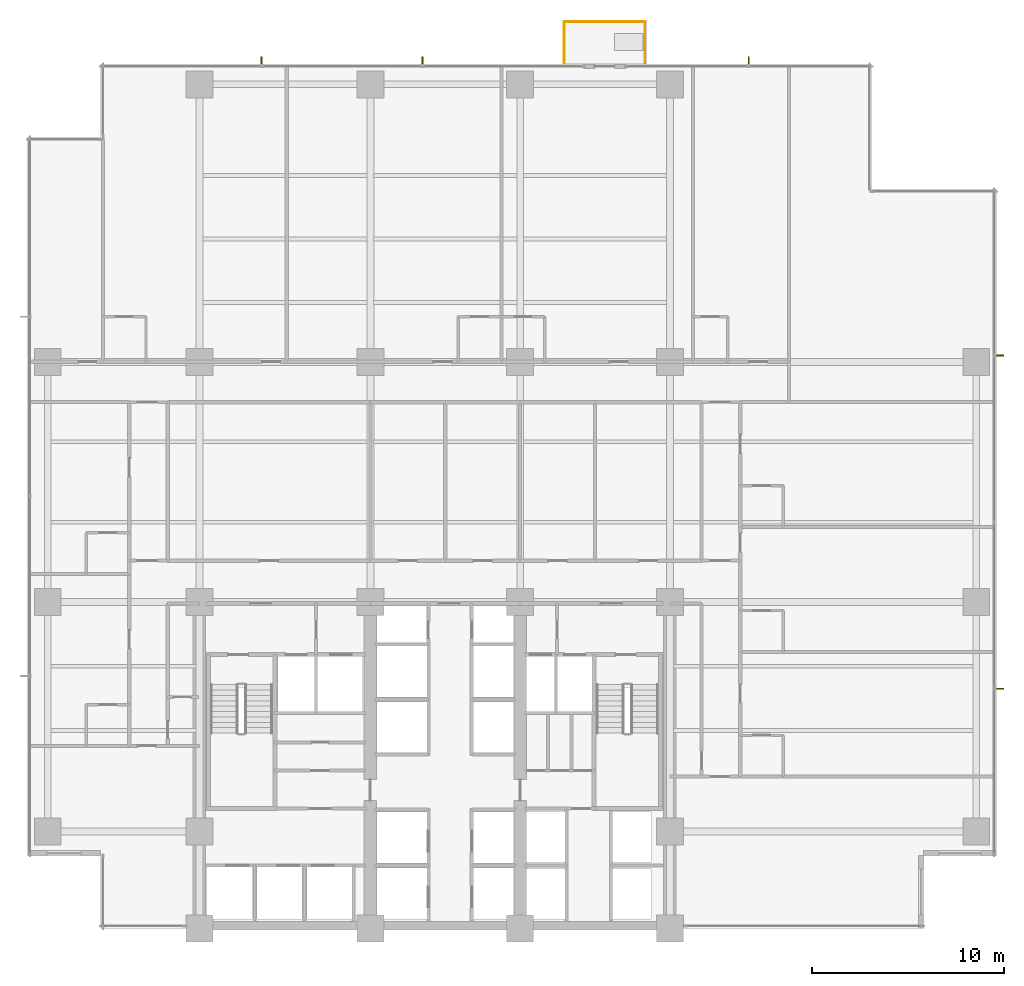
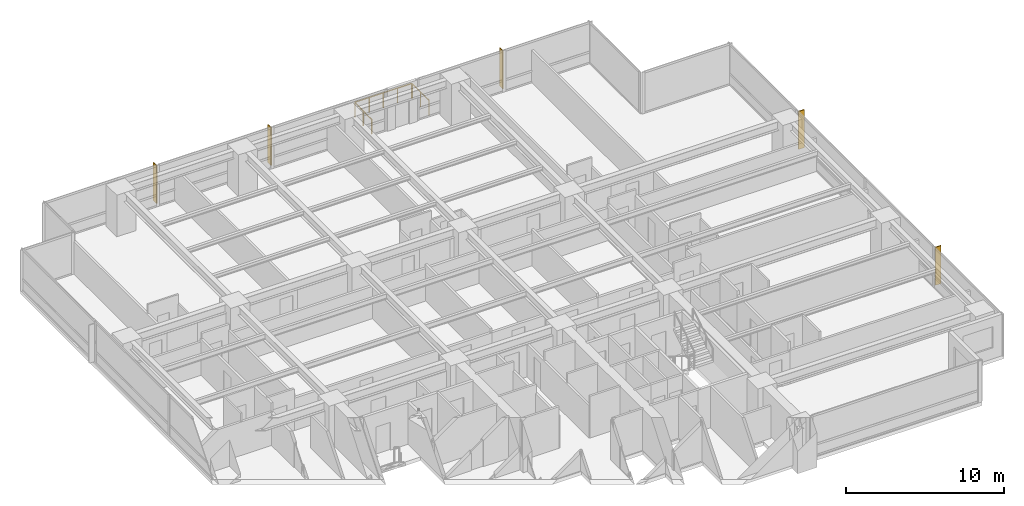
# One storey, part 16 of 16: 5 shading devices, 3 railings.
"""IFC4 building model written with IfcOpenShell, lengths in metres."""

from ifc_helpers import new_model, si_unit, direction, frame, origin, origin_2d, place, context, subcontext, project, spatial, polyline, circle, outline, extrude, material, layer, layer_set, type_object, element, save


model = new_model("IFC4")

# Units and contexts
model_context = context("Model", 3, precision=1e-05, world=origin(), true_north=direction((0.0, 1.0)))
body_context = subcontext(model_context, "Body", "Model", "MODEL_VIEW")
ifc_project = project(units=[si_unit("LENGTHUNIT", "METRE"), si_unit("AREAUNIT", "SQUARE_METRE"), si_unit("VOLUMEUNIT", "CUBIC_METRE"), si_unit("PLANEANGLEUNIT", "RADIAN"), si_unit("MASSUNIT", "GRAM", prefix="KILO")], contexts=[model_context])

# Site, building, storey
site_placement = place(None, origin())
site = spatial("IfcSite", under=ifc_project, at=site_placement, CompositionType="ELEMENT")
building_placement = place(site_placement, origin())
building = spatial("IfcBuilding", under=site, at=building_placement, Name="Qalmaran Belvedere Hotel", CompositionType="ELEMENT")
storey_placement = place(building_placement, frame((0.0, 0.0, 50.89990234375)))
storey = spatial("IfcBuildingStorey", under=building, at=storey_placement, Name="L12", CompositionType="ELEMENT", Elevation=50.89990234375)

# Shading devices
ifc_material = material(Name="Anodised Bronze Aluminium", Category="aluminium")
ifc_layer = layer(ifc_material, 0.06494140625, Name="Anodised Bronze Aluminium")
ifc_layer_set = layer_set([ifc_layer], Name="Anodised Bronze Aluminium")
shading_device_type = type_object("IfcShadingDeviceType", Name="FIN-BRNZ-420", PredefinedType="USERDEFINED", material=ifc_layer_set)
shading_device_1_placement = place(storey_placement, frame((0.0, 0.0, 0.16015625)))
element("IfcShadingDevice", 1, at=shading_device_1_placement, inside=storey, type_object=shading_device_type, Name="L12 Bronze Fin 1", ObjectType="FIN", PredefinedType="USERDEFINED", context=body_context, shape_type="SweptSolid", body=[
    extrude(outline(polyline([(61.7724609375, 15.9423828125), (62.1923828125, 15.9423828125), (62.1923828125, 16.007568359375), (61.7724609375, 16.007568359375), (61.7724609375, 15.9423828125)])), origin(), (0.0, 0.0, 1.0), 2.93994140625),
])
shading_device_2_placement = place(storey_placement, frame((0.0, 0.0, 0.16015625)))
element("IfcShadingDevice", 2, at=shading_device_2_placement, inside=storey, type_object=shading_device_type, Name="L12 Bronze Fin 3", ObjectType="FIN", PredefinedType="USERDEFINED", context=body_context, shape_type="SweptSolid", body=[
    extrude(outline(polyline([(61.7724609375, 33.29248046875), (62.1923828125, 33.29248046875), (62.1923828125, 33.357421875), (61.7724609375, 33.357421875), (61.7724609375, 33.29248046875)])), origin(), (0.0, 0.0, 1.0), 2.93994140625),
])
shading_device_3_placement = place(storey_placement, frame((0.0, 0.0, 0.16015625)))
element("IfcShadingDevice", 3, at=shading_device_3_placement, inside=storey, type_object=shading_device_type, Name="L12 Bronze Fin 1", ObjectType="FIN", PredefinedType="USERDEFINED", context=body_context, shape_type="SweptSolid", body=[
    extrude(outline(polyline([(31.94921875, 48.472412109375), (31.94921875, 48.892578125), (31.88427734375, 48.892578125), (31.88427734375, 48.472412109375), (31.94921875, 48.472412109375)])), origin(), (0.0, 0.0, 1.0), 2.93994140625),
])
shading_device_4_placement = place(storey_placement, frame((0.0, 0.0, 0.16015625)))
element("IfcShadingDevice", 4, at=shading_device_4_placement, inside=storey, type_object=shading_device_type, Name="L12 Bronze Fin 2", ObjectType="FIN", PredefinedType="USERDEFINED", context=body_context, shape_type="SweptSolid", body=[
    extrude(outline(polyline([(23.56591796875, 48.472412109375), (23.56591796875, 48.892578125), (23.500732421875, 48.892578125), (23.500732421875, 48.472412109375), (23.56591796875, 48.472412109375)])), origin(), (0.0, 0.0, 1.0), 2.93994140625),
])
shading_device_5_placement = place(storey_placement, frame((0.0, 0.0, 0.16015625)))
element("IfcShadingDevice", 5, at=shading_device_5_placement, inside=storey, type_object=shading_device_type, Name="L12 Bronze Fin 1", ObjectType="FIN", PredefinedType="USERDEFINED", context=body_context, shape_type="SweptSolid", body=[
    extrude(outline(polyline([(48.9326171875, 48.472412109375), (48.9326171875, 48.892578125), (48.867431640625, 48.892578125), (48.867431640625, 48.472412109375), (48.9326171875, 48.472412109375)])), origin(), (0.0, 0.0, 1.0), 2.93994140625),
])

# Railings
railing_type = type_object("IfcRailingType", Name="GRD-BAL-1150", PredefinedType="BALUSTRADE", material=ifc_material)
railing_1_placement = place(storey_placement, frame((39.300048828125, 48.534912109375, 0.0)))
element("IfcRailing", 6, at=railing_1_placement, inside=storey, type_object=railing_type, Name="L12 Guardrail BAL-L12-N-1", PredefinedType="BALUSTRADE", context=body_context, shape_type="SweptSolid", body=[
    extrude(circle(Radius=0.02392578125, at=origin_2d()), frame((0.0, 0.0, 1.1259765625), z_axis=(0.0, 1.0, 0.0), x_axis=(-1.0, 0.0, 0.0)), (0.0, 0.0, 1.0), 2.130126953125),
    extrude(circle(Radius=0.02099609375, at=origin_2d()), origin(), (0.0, 0.0, 1.0), 1.101806640625),
    extrude(circle(Radius=0.02099609375, at=origin_2d()), frame((0.0, 1.06494140625, 0.0)), (0.0, 0.0, 1.0), 1.101806640625),
    extrude(circle(Radius=0.02099609375, at=origin_2d()), frame((0.0, 2.130126953125, 0.0)), (0.0, 0.0, 1.0), 1.101806640625),
])
railing_2_placement = place(storey_placement, frame((39.3349609375, 50.699951171875, 0.0)))
element("IfcRailing", 7, at=railing_2_placement, inside=storey, type_object=railing_type, Name="L12 Guardrail BAL-L12-N-2", PredefinedType="BALUSTRADE", context=body_context, shape_type="SweptSolid", body=[
    extrude(circle(Radius=0.02392578125, at=origin_2d()), frame((0.0, 0.0, 1.1259765625), z_axis=(1.0, 0.0, 0.0), x_axis=(0.0, 1.0, 0.0)), (0.0, 0.0, 1.0), 4.130126953125),
    extrude(circle(Radius=0.02099609375, at=origin_2d()), origin(), (0.0, 0.0, 1.0), 1.101806640625),
    extrude(circle(Radius=0.02099609375, at=origin_2d()), frame((1.032470703125, 0.0, 0.0)), (0.0, 0.0, 1.0), 1.101806640625),
    extrude(circle(Radius=0.02099609375, at=origin_2d()), frame((2.06494140625, 0.0, 0.0)), (0.0, 0.0, 1.0), 1.101806640625),
    extrude(circle(Radius=0.02099609375, at=origin_2d()), frame((3.09765625, 0.0, 0.0)), (0.0, 0.0, 1.0), 1.101806640625),
    extrude(circle(Radius=0.02099609375, at=origin_2d()), frame((4.130126953125, 0.0, 0.0)), (0.0, 0.0, 1.0), 1.101806640625),
])
railing_3_placement = place(storey_placement, frame((43.5, 50.6650390625, 0.0)))
element("IfcRailing", 8, at=railing_3_placement, inside=storey, type_object=railing_type, Name="L12 Guardrail BAL-L12-N-3", PredefinedType="BALUSTRADE", context=body_context, shape_type="SweptSolid", body=[
    extrude(circle(Radius=0.02392578125, at=origin_2d()), frame((0.0, 0.0, 1.1259765625), z_axis=(0.0, -1.0, 0.0), x_axis=(1.0, 0.0, 0.0)), (0.0, 0.0, 1.0), 2.130126953125),
    extrude(circle(Radius=0.02099609375, at=origin_2d()), origin(), (0.0, 0.0, 1.0), 1.101806640625),
    extrude(circle(Radius=0.02099609375, at=origin_2d()), frame((0.0, -1.06494140625, 0.0)), (0.0, 0.0, 1.0), 1.101806640625),
    extrude(circle(Radius=0.02099609375, at=origin_2d()), frame((0.0, -2.130126953125, 0.0)), (0.0, 0.0, 1.0), 1.101806640625),
])

save(model, "model.ifc")
